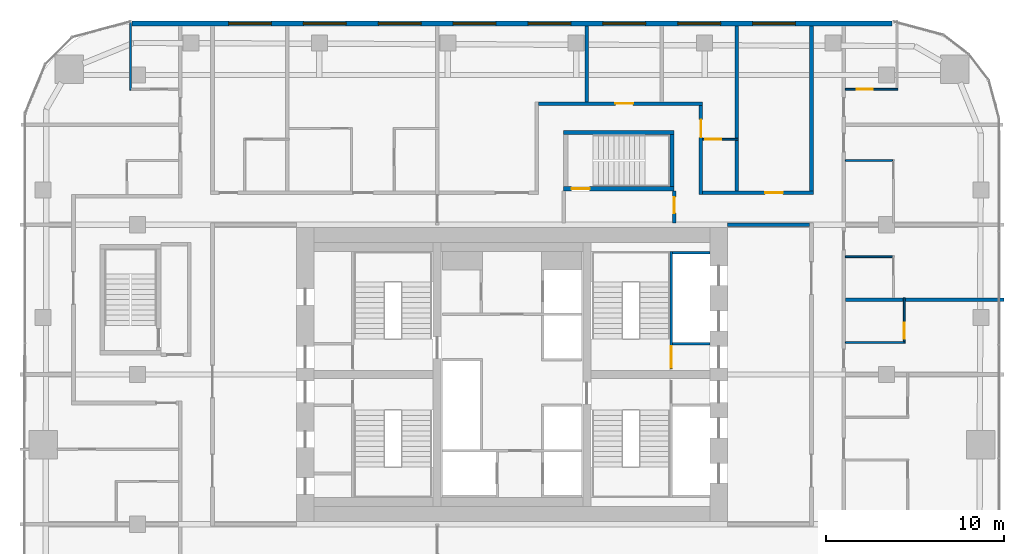
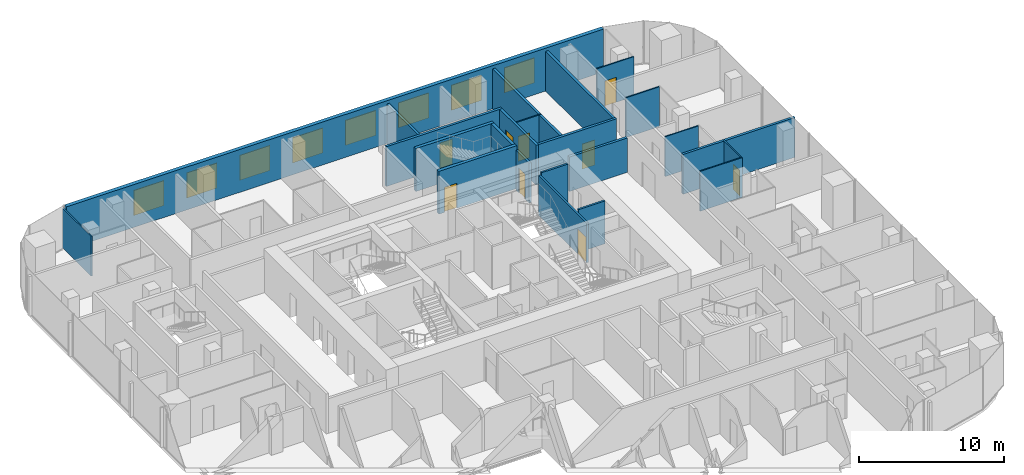
# One storey, part 20 of 23: 23 walls, 9 doors, 8 windows, 17 openings.
"""IFC4 building model written with IfcOpenShell, lengths in metres."""

from ifc_helpers import new_model, si_unit, direction, frame, frame_2d, origin, place, context, subcontext, project, spatial, rectangle, extrude, material, layer, layer_set, type_object, element, fill, save


model = new_model("IFC4")

# Units and contexts
model_context = context("Model", 3, precision=1e-05, world=origin(), true_north=direction((0.0, 1.0)))
body_context = subcontext(model_context, "Body", "Model", "MODEL_VIEW")
ifc_project = project(units=[si_unit("LENGTHUNIT", "METRE"), si_unit("AREAUNIT", "SQUARE_METRE"), si_unit("VOLUMEUNIT", "CUBIC_METRE"), si_unit("PLANEANGLEUNIT", "RADIAN"), si_unit("MASSUNIT", "GRAM", prefix="KILO")], contexts=[model_context])

# Site, building, storey
site_placement = place(None, origin())
site = spatial("IfcSite", under=ifc_project, at=site_placement, CompositionType="ELEMENT")
building_placement = place(site_placement, origin())
building = spatial("IfcBuilding", under=site, at=building_placement, Name="Marenta Gate Hotel Tower", CompositionType="ELEMENT")
storey_placement = place(building_placement, frame((0.0, 0.0, 126.5)))
storey = spatial("IfcBuildingStorey", under=building, at=storey_placement, Name="L28", CompositionType="ELEMENT", Elevation=126.5)

# Wall, openings, windows
ifc_material_1 = material(Name="Concrete C40 board-marked", Category="concrete")
ifc_layer_1 = layer(ifc_material_1, 0.300048828125)
ifc_layer_set_1 = layer_set([ifc_layer_1], Name="Concrete C40 board-marked")
wall_type_1 = type_object("IfcWallType", Name="Board-marked concrete wall 300 mm", PredefinedType="NOTDEFINED", material=ifc_layer_set_1)
wall_1_placement = place(storey_placement, frame((21.305908203125, 28.090087890625, 0.0), z_axis=(0.0, 0.0, 1.0), x_axis=(-1.0, 0.0, 0.0)))
wall_1 = element("IfcWall", 1, at=wall_1_placement, inside=storey, type_object=wall_type_1, Name="L28-CLD-N00", PredefinedType="NOTDEFINED", context=body_context, shape_type="SweptSolid", body=[
    extrude(rectangle(XDim=42.61181640625, YDim=0.300048828125, at=frame_2d((21.305908203125, 0.0))), origin(), (0.0, 0.0, 1.0), 3.60009765625),
])
opening_1_placement = place(wall_1_placement, frame((5.406005859375, 0.0, 0.89990234375)))
opening_1 = element("IfcOpeningElement", 2, at=opening_1_placement, cuts=wall_1, Name="Opening W1", PredefinedType="OPENING", context=body_context, shape_type="SweptSolid", body=[
    extrude(rectangle(XDim=2.39990234375, YDim=2.10009765625, at=frame_2d((1.199951171875, 1.050048828125))), frame((0.0, 0.14990234375, 0.0), z_axis=(0.0, -1.0, 0.0), x_axis=(1.0, 0.0, 0.0)), (0.0, 0.0, 1.0), 0.300048828125),
])
opening_2_placement = place(wall_1_placement, frame((9.60595703125, 0.0, 0.89990234375)))
opening_2 = element("IfcOpeningElement", 3, at=opening_2_placement, cuts=wall_1, Name="Opening W1", PredefinedType="OPENING", context=body_context, shape_type="SweptSolid", body=[
    extrude(rectangle(XDim=2.39990234375, YDim=2.10009765625, at=frame_2d((1.199951171875, 1.050048828125))), frame((0.0, 0.14990234375, 0.0), z_axis=(0.0, -1.0, 0.0), x_axis=(1.0, 0.0, 0.0)), (0.0, 0.0, 1.0), 0.300048828125),
])
opening_3_placement = place(wall_1_placement, frame((13.805908203125, 0.0, 0.89990234375)))
opening_3 = element("IfcOpeningElement", 4, at=opening_3_placement, cuts=wall_1, Name="Opening W1", PredefinedType="OPENING", context=body_context, shape_type="SweptSolid", body=[
    extrude(rectangle(XDim=2.39990234375, YDim=2.10009765625, at=frame_2d((1.199951171875, 1.050048828125))), frame((0.0, 0.14990234375, 0.0), z_axis=(0.0, -1.0, 0.0), x_axis=(1.0, 0.0, 0.0)), (0.0, 0.0, 1.0), 0.300048828125),
])
opening_4_placement = place(wall_1_placement, frame((18.005859375, 0.0, 0.89990234375)))
opening_4 = element("IfcOpeningElement", 5, at=opening_4_placement, cuts=wall_1, Name="Opening W1", PredefinedType="OPENING", context=body_context, shape_type="SweptSolid", body=[
    extrude(rectangle(XDim=2.39990234375, YDim=2.10009765625, at=frame_2d((1.199951171875, 1.050048828125))), frame((0.0, 0.14990234375, 0.0), z_axis=(0.0, -1.0, 0.0), x_axis=(1.0, 0.0, 0.0)), (0.0, 0.0, 1.0), 0.300048828125),
])
opening_5_placement = place(wall_1_placement, frame((22.205810546875, 0.0, 0.89990234375)))
opening_5 = element("IfcOpeningElement", 6, at=opening_5_placement, cuts=wall_1, Name="Opening W1", PredefinedType="OPENING", context=body_context, shape_type="SweptSolid", body=[
    extrude(rectangle(XDim=2.39990234375, YDim=2.10009765625, at=frame_2d((1.199951171875, 1.050048828125))), frame((0.0, 0.14990234375, 0.0), z_axis=(0.0, -1.0, 0.0), x_axis=(1.0, 0.0, 0.0)), (0.0, 0.0, 1.0), 0.300048828125),
])
opening_6_placement = place(wall_1_placement, frame((26.406005859375, 0.0, 0.89990234375)))
opening_6 = element("IfcOpeningElement", 7, at=opening_6_placement, cuts=wall_1, Name="Opening W1", PredefinedType="OPENING", context=body_context, shape_type="SweptSolid", body=[
    extrude(rectangle(XDim=2.39990234375, YDim=2.10009765625, at=frame_2d((1.199951171875, 1.050048828125))), frame((0.0, 0.14990234375, 0.0), z_axis=(0.0, -1.0, 0.0), x_axis=(1.0, 0.0, 0.0)), (0.0, 0.0, 1.0), 0.300048828125),
])
opening_7_placement = place(wall_1_placement, frame((30.60595703125, 0.0, 0.89990234375)))
opening_7 = element("IfcOpeningElement", 8, at=opening_7_placement, cuts=wall_1, Name="Opening W1", PredefinedType="OPENING", context=body_context, shape_type="SweptSolid", body=[
    extrude(rectangle(XDim=2.39990234375, YDim=2.10009765625, at=frame_2d((1.199951171875, 1.050048828125))), frame((0.0, 0.14990234375, 0.0), z_axis=(0.0, -1.0, 0.0), x_axis=(1.0, 0.0, 0.0)), (0.0, 0.0, 1.0), 0.300048828125),
])
opening_8_placement = place(wall_1_placement, frame((34.805908203125, 0.0, 0.89990234375)))
opening_8 = element("IfcOpeningElement", 9, at=opening_8_placement, cuts=wall_1, Name="Opening W1", PredefinedType="OPENING", context=body_context, shape_type="SweptSolid", body=[
    extrude(rectangle(XDim=2.39990234375, YDim=2.10009765625, at=frame_2d((1.199951171875, 1.050048828125))), frame((0.0, 0.14990234375, 0.0), z_axis=(0.0, -1.0, 0.0), x_axis=(1.0, 0.0, 0.0)), (0.0, 0.0, 1.0), 0.300048828125),
])
ifc_material_2 = material(Name="Tinted insulated glass in bronze anodised frame", Category="glass")
window_type = type_object("IfcWindowType", Name="Window W1 2400x2100 bronze frame", PartitioningType="SINGLE_PANEL", PredefinedType="WINDOW", material=ifc_material_2)
window_1_placement = place(opening_1_placement, origin())
window_1 = element("IfcWindow", 10, at=window_1_placement, inside=storey, type_object=window_type, Name="Window W1", OverallHeight=2.10009765625, OverallWidth=2.39990234375, PartitioningType="SINGLE_PANEL", PredefinedType="WINDOW", context=body_context, shape_type="SweptSolid", body=[
    extrude(rectangle(XDim=2.39990234375, YDim=2.10009765625, at=frame_2d((1.199951171875, 1.050048828125))), frame((0.0, 0.030029296875, 0.0), z_axis=(0.0, -1.0, 0.0), x_axis=(1.0, 0.0, 0.0)), (0.0, 0.0, 1.0), 0.06005859375),
])
fill(opening_1, window_1)
window_2_placement = place(opening_2_placement, origin())
window_2 = element("IfcWindow", 11, at=window_2_placement, inside=storey, type_object=window_type, Name="Window W1", OverallHeight=2.10009765625, OverallWidth=2.39990234375, PartitioningType="SINGLE_PANEL", PredefinedType="WINDOW", context=body_context, shape_type="SweptSolid", body=[
    extrude(rectangle(XDim=2.39990234375, YDim=2.10009765625, at=frame_2d((1.199951171875, 1.050048828125))), frame((0.0, 0.030029296875, 0.0), z_axis=(0.0, -1.0, 0.0), x_axis=(1.0, 0.0, 0.0)), (0.0, 0.0, 1.0), 0.06005859375),
])
fill(opening_2, window_2)
window_3_placement = place(opening_3_placement, origin())
window_3 = element("IfcWindow", 12, at=window_3_placement, inside=storey, type_object=window_type, Name="Window W1", OverallHeight=2.10009765625, OverallWidth=2.39990234375, PartitioningType="SINGLE_PANEL", PredefinedType="WINDOW", context=body_context, shape_type="SweptSolid", body=[
    extrude(rectangle(XDim=2.39990234375, YDim=2.10009765625, at=frame_2d((1.199951171875, 1.050048828125))), frame((0.0, 0.030029296875, 0.0), z_axis=(0.0, -1.0, 0.0), x_axis=(1.0, 0.0, 0.0)), (0.0, 0.0, 1.0), 0.06005859375),
])
fill(opening_3, window_3)
window_4_placement = place(opening_4_placement, origin())
window_4 = element("IfcWindow", 13, at=window_4_placement, inside=storey, type_object=window_type, Name="Window W1", OverallHeight=2.10009765625, OverallWidth=2.39990234375, PartitioningType="SINGLE_PANEL", PredefinedType="WINDOW", context=body_context, shape_type="SweptSolid", body=[
    extrude(rectangle(XDim=2.39990234375, YDim=2.10009765625, at=frame_2d((1.199951171875, 1.050048828125))), frame((0.0, 0.030029296875, 0.0), z_axis=(0.0, -1.0, 0.0), x_axis=(1.0, 0.0, 0.0)), (0.0, 0.0, 1.0), 0.06005859375),
])
fill(opening_4, window_4)
window_5_placement = place(opening_5_placement, origin())
window_5 = element("IfcWindow", 14, at=window_5_placement, inside=storey, type_object=window_type, Name="Window W1", OverallHeight=2.10009765625, OverallWidth=2.39990234375, PartitioningType="SINGLE_PANEL", PredefinedType="WINDOW", context=body_context, shape_type="SweptSolid", body=[
    extrude(rectangle(XDim=2.39990234375, YDim=2.10009765625, at=frame_2d((1.199951171875, 1.050048828125))), frame((0.0, 0.030029296875, 0.0), z_axis=(0.0, -1.0, 0.0), x_axis=(1.0, 0.0, 0.0)), (0.0, 0.0, 1.0), 0.06005859375),
])
fill(opening_5, window_5)
window_6_placement = place(opening_6_placement, origin())
window_6 = element("IfcWindow", 15, at=window_6_placement, inside=storey, type_object=window_type, Name="Window W1", OverallHeight=2.10009765625, OverallWidth=2.39990234375, PartitioningType="SINGLE_PANEL", PredefinedType="WINDOW", context=body_context, shape_type="SweptSolid", body=[
    extrude(rectangle(XDim=2.39990234375, YDim=2.10009765625, at=frame_2d((1.199951171875, 1.050048828125))), frame((0.0, 0.030029296875, 0.0), z_axis=(0.0, -1.0, 0.0), x_axis=(1.0, 0.0, 0.0)), (0.0, 0.0, 1.0), 0.06005859375),
])
fill(opening_6, window_6)
window_7_placement = place(opening_7_placement, origin())
window_7 = element("IfcWindow", 16, at=window_7_placement, inside=storey, type_object=window_type, Name="Window W1", OverallHeight=2.10009765625, OverallWidth=2.39990234375, PartitioningType="SINGLE_PANEL", PredefinedType="WINDOW", context=body_context, shape_type="SweptSolid", body=[
    extrude(rectangle(XDim=2.39990234375, YDim=2.10009765625, at=frame_2d((1.199951171875, 1.050048828125))), frame((0.0, 0.030029296875, 0.0), z_axis=(0.0, -1.0, 0.0), x_axis=(1.0, 0.0, 0.0)), (0.0, 0.0, 1.0), 0.06005859375),
])
fill(opening_7, window_7)
window_8_placement = place(opening_8_placement, origin())
window_8 = element("IfcWindow", 17, at=window_8_placement, inside=storey, type_object=window_type, Name="Window W1", OverallHeight=2.10009765625, OverallWidth=2.39990234375, PartitioningType="SINGLE_PANEL", PredefinedType="WINDOW", context=body_context, shape_type="SweptSolid", body=[
    extrude(rectangle(XDim=2.39990234375, YDim=2.10009765625, at=frame_2d((1.199951171875, 1.050048828125))), frame((0.0, 0.030029296875, 0.0), z_axis=(0.0, -1.0, 0.0), x_axis=(1.0, 0.0, 0.0)), (0.0, 0.0, 1.0), 0.06005859375),
])
fill(opening_8, window_8)

# Walls
ifc_material_3 = material(Name="Concrete blockwork", Category="masonry")
ifc_layer_2 = layer(ifc_material_3, 0.199951171875)
ifc_layer_set_2 = layer_set([ifc_layer_2], Name="Concrete blockwork")
wall_type_2 = type_object("IfcWallType", Name="Core boundary wall 200 REI 180", PredefinedType="PARTITIONING", material=ifc_layer_set_2)
wall_2_placement = place(storey_placement, frame((12.10009765625, 16.800048828125, 0.0), z_axis=(0.0, 0.0, 1.0), x_axis=(1.0, 0.0, 0.0)))
element("IfcWall", 18, at=wall_2_placement, inside=storey, type_object=wall_type_2, Name="L28-CP-EW-EN", PredefinedType="PARTITIONING", context=body_context, shape_type="SweptSolid", body=[
    extrude(rectangle(XDim=4.599853515625, YDim=0.199951171875, at=frame_2d((2.2998046875, 0.0))), origin(), (0.0, 0.0, 1.0), 2.889892578125),
])
ifc_material_4 = material(Name="Concrete C40", Category="concrete")
ifc_layer_3 = layer(ifc_material_4, 0.14990234375)
ifc_layer_set_3 = layer_set([ifc_layer_3], Name="Concrete C40")
wall_type_3 = type_object("IfcWallType", Name="Core shaft wall 150 REI 180", PredefinedType="SHEAR", material=ifc_layer_set_3)
for number, where, z_axis, x_axis, name in (
    (19, (9.0, 10.125, 0.0), (0.0, 0.0, 1.0), (1.0, 0.0, 0.0), "L28-SHF-SW-EN-2"),
    (20, (9.0, 15.22509765625, 0.0), (0.0, 0.0, 1.0), (1.0, 0.0, 0.0), "L28-SHF-SW-EN-5"),
):
    element("IfcWall", number, at=place(storey_placement, frame(where, z_axis=z_axis, x_axis=x_axis)), inside=storey, type_object=wall_type_3, Name=name, PredefinedType="SHEAR", context=body_context, shape_type="SweptSolid", body=[
        extrude(rectangle(XDim=2.10009765625, YDim=0.14990234375, at=frame_2d((1.050048828125, 0.0))), origin(), (0.0, 0.0, 1.0), 3.60009765625),
    ])

# Wall, opening, door
ifc_material_5 = material(Name="Concrete C40", Category="concrete")
ifc_layer_4 = layer(ifc_material_5, 0.14990234375)
ifc_layer_set_4 = layer_set([ifc_layer_4], Name="Concrete C40")
wall_type_4 = type_object("IfcWallType", Name="Core stair enclosure wall 150 REI 180", PredefinedType="SHEAR", material=ifc_layer_set_4)
wall_3_placement = place(storey_placement, frame((8.925048828125, 8.699951171875, 0.0), z_axis=(0.0, 0.0, 1.0), x_axis=(0.0, 1.0, 0.0)))
wall_3 = element("IfcWall", 21, at=wall_3_placement, inside=storey, type_object=wall_type_4, Name="L28-SHF-SW-EN-3", PredefinedType="SHEAR", context=body_context, shape_type="SweptSolid", body=[
    extrude(rectangle(XDim=6.60009765625, YDim=0.14990234375, at=frame_2d((3.300048828125, 0.0))), origin(), (0.0, 0.0, 1.0), 3.340087890625),
])
opening_9_placement = place(wall_3_placement, frame((0.074951171875, 0.0, 0.0)))
opening_9 = element("IfcOpeningElement", 22, at=opening_9_placement, cuts=wall_3, Name="Opening SD-EN", PredefinedType="OPENING", context=body_context, shape_type="SweptSolid", body=[
    extrude(rectangle(XDim=1.199951171875, YDim=2.10009765625, at=frame_2d((0.60009765625, 1.050048828125))), frame((0.0, 0.074951171875, 0.0), z_axis=(0.0, -1.0, 0.0), x_axis=(1.0, 0.0, 0.0)), (0.0, 0.0, 1.0), 0.14990234375),
])
ifc_material_6 = material(Name="Steel", Category="steel")
door_type_1 = type_object("IfcDoorType", Name="Core stair door 1200x2100 FD60", OperationType="SINGLE_SWING_LEFT", PredefinedType="DOOR", material=ifc_material_6)
door_1_placement = place(opening_9_placement, origin())
door_1 = element("IfcDoor", 23, at=door_1_placement, inside=storey, type_object=door_type_1, Name="SD-EN", OperationType="SINGLE_SWING_LEFT", OverallHeight=2.10009765625, OverallWidth=1.199951171875, PredefinedType="DOOR", context=body_context, shape_type="SweptSolid", body=[
    extrude(rectangle(XDim=1.199951171875, YDim=2.10009765625, at=frame_2d((0.60009765625, 1.050048828125))), frame((0.0, 0.02490234375, 0.0), z_axis=(0.0, -1.0, 0.0), x_axis=(1.0, 0.0, 0.0)), (0.0, 0.0, 1.0), 0.050048828125),
])
fill(opening_9, door_1)

ifc_material_7 = material(Name="Concrete C40", Category="concrete")
ifc_layer_5 = layer(ifc_material_7, 0.25)
ifc_layer_set_5 = layer_set([ifc_layer_5], Name="Concrete C40")
wall_type_5 = type_object("IfcWallType", Name="Remote stair enclosure wall 250 REI 180", PredefinedType="SHEAR", material=ifc_layer_set_5)
wall_4_placement = place(storey_placement, frame((2.89990234375, 18.824951171875, 0.10009765625), z_axis=(0.0, 0.0, 1.0), x_axis=(1.0, 0.0, 0.0)))
wall_4 = element("IfcWall", 24, at=wall_4_placement, inside=storey, type_object=wall_type_5, Name="L28-RS-Z2-4-W1", PredefinedType="SHEAR", context=body_context, shape_type="SweptSolid", body=[
    extrude(rectangle(XDim=6.2001953125, YDim=0.25, at=frame_2d((3.10009765625, 0.0))), origin(), (0.0, 0.0, 1.0), 3.599853515625),
])
opening_10_placement = place(wall_4_placement, frame((0.449951171875, 0.0, 0.0)))
opening_10 = element("IfcOpeningElement", 25, at=opening_10_placement, cuts=wall_4, Name="Opening VD", PredefinedType="OPENING", context=body_context, shape_type="SweptSolid", body=[
    extrude(rectangle(XDim=1.0, YDim=2.10009765625, at=frame_2d((0.5, 1.050048828125))), frame((0.0, 0.125, 0.0), z_axis=(0.0, -1.0, 0.0), x_axis=(1.0, 0.0, 0.0)), (0.0, 0.0, 1.0), 0.25),
])
ifc_material_8 = material(Name="Steel", Category="steel")
door_type_2 = type_object("IfcDoorType", Name="Stair vestibule door 1000x2100 FD60", OperationType="SINGLE_SWING_LEFT", PredefinedType="DOOR", material=ifc_material_8)
door_2_placement = place(opening_10_placement, origin())
door_2 = element("IfcDoor", 26, at=door_2_placement, inside=storey, type_object=door_type_2, Name="VD", OperationType="SINGLE_SWING_LEFT", OverallHeight=2.10009765625, OverallWidth=1.0, PredefinedType="DOOR", context=body_context, shape_type="SweptSolid", body=[
    extrude(rectangle(XDim=1.0, YDim=2.10009765625, at=frame_2d((0.5, 1.050048828125))), frame((0.0, 0.02490234375, 0.0), z_axis=(0.0, -1.0, 0.0), x_axis=(1.0, 0.0, 0.0)), (0.0, 0.0, 1.0), 0.050048828125),
])
fill(opening_10, door_2)

# Walls
wall_5_placement = place(storey_placement, frame((2.89990234375, 21.97509765625, 0.10009765625), z_axis=(0.0, 0.0, 1.0), x_axis=(1.0, 0.0, 0.0)))
element("IfcWall", 27, at=wall_5_placement, inside=storey, type_object=wall_type_5, Name="L28-RS-Z2-4-W2", PredefinedType="SHEAR", context=body_context, shape_type="SweptSolid", body=[
    extrude(rectangle(XDim=6.2001953125, YDim=0.25, at=frame_2d((3.10009765625, 0.0))), origin(), (0.0, 0.0, 1.0), 3.599853515625),
])
wall_6_placement = place(storey_placement, frame((8.97509765625, 18.949951171875, 0.10009765625), z_axis=(0.0, 0.0, 1.0), x_axis=(0.0, 1.0, 0.0)))
element("IfcWall", 28, at=wall_6_placement, inside=storey, type_object=wall_type_5, Name="L28-RS-Z2-4-W4", PredefinedType="SHEAR", context=body_context, shape_type="SweptSolid", body=[
    extrude(rectangle(XDim=2.900146484375, YDim=0.25, at=frame_2d((1.4501953125, 0.0))), origin(), (0.0, 0.0, 1.0), 3.599853515625),
])

# Wall, opening, door
ifc_material_9 = material(Name="Concrete blockwork", Category="masonry")
ifc_layer_6 = layer(ifc_material_9, 0.199951171875)
ifc_layer_set_6 = layer_set([ifc_layer_6], Name="Concrete blockwork")
wall_type_6 = type_object("IfcWallType", Name="Room corridor wall 200 EI 120", PredefinedType="PARTITIONING", material=ifc_layer_set_6)
wall_7_placement = place(storey_placement, frame((1.5, 23.60009765625, 0.0), z_axis=(0.0, 0.0, 1.0), x_axis=(1.0, 0.0, 0.0)))
wall_7 = element("IfcWall", 29, at=wall_7_placement, inside=storey, type_object=wall_type_6, Name="L28-PTN-W128", PredefinedType="PARTITIONING", context=body_context, shape_type="SweptSolid", body=[
    extrude(rectangle(XDim=9.199951171875, YDim=0.199951171875, at=frame_2d((4.60009765625, 0.0))), origin(), (0.0, 0.0, 1.0), 3.340087890625),
])
opening_11_placement = place(wall_7_placement, frame((4.300048828125, 0.0, 0.0)))
opening_11 = element("IfcOpeningElement", 30, at=opening_11_placement, cuts=wall_7, Name="Opening G10-36", PredefinedType="OPENING", context=body_context, shape_type="SweptSolid", body=[
    extrude(rectangle(XDim=1.0, YDim=2.10009765625, at=frame_2d((0.5, 1.050048828125))), frame((0.0, 0.10009765625, 0.0), z_axis=(0.0, -1.0, 0.0), x_axis=(1.0, 0.0, 0.0)), (0.0, 0.0, 1.0), 0.199951171875),
])
ifc_material_10 = material(Name="Hollow steel door set", Category="steel")
door_type_3 = type_object("IfcDoorType", Name="Room service door 1000x2100 EI 60", OperationType="NOTDEFINED", PredefinedType="DOOR", material=ifc_material_10)
door_3_placement = place(opening_11_placement, origin())
door_3 = element("IfcDoor", 31, at=door_3_placement, inside=storey, type_object=door_type_3, Name="L28-PD-D036", OperationType="SINGLE_SWING_LEFT", OverallHeight=2.10009765625, OverallWidth=1.0, PredefinedType="DOOR", context=body_context, shape_type="SweptSolid", body=[
    extrude(rectangle(XDim=1.0, YDim=2.10009765625, at=frame_2d((0.5, 1.050048828125))), frame((0.0, 0.02490234375, 0.0), z_axis=(0.0, -1.0, 0.0), x_axis=(1.0, 0.0, 0.0)), (0.0, 0.0, 1.0), 0.050048828125),
])
fill(opening_11, door_3)

# Wall
ifc_material_11 = material(Name="Gypsum board on steel stud", Category="steel")
ifc_layer_7 = layer(ifc_material_11, 0.199951171875)
ifc_layer_set_7 = layer_set([ifc_layer_7], Name="Gypsum board on steel stud")
wall_type_7 = type_object("IfcWallType", Name="Room corridor wall 200 EI 60", PredefinedType="PARTITIONING", material=ifc_layer_set_7)
wall_8_placement = place(storey_placement, frame((16.800048828125, 18.699951171875, 0.0), z_axis=(0.0, 0.0, 1.0), x_axis=(0.0, 1.0, 0.0)))
element("IfcWall", 32, at=wall_8_placement, inside=storey, type_object=wall_type_7, Name="L28-PTN-W022", PredefinedType="PARTITIONING", context=body_context, shape_type="SweptSolid", body=[
    extrude(rectangle(XDim=9.239990234375, YDim=0.199951171875, at=frame_2d((4.6201171875, 0.0))), origin(), (0.0, 0.0, 1.0), 3.340087890625),
])

# Wall, opening, door
wall_9_placement = place(storey_placement, frame((10.60009765625, 18.5, 0.0), z_axis=(0.0, 0.0, 1.0), x_axis=(0.0, 1.0, 0.0)))
wall_9 = element("IfcWall", 33, at=wall_9_placement, inside=storey, type_object=wall_type_7, Name="L28-PTN-W042", PredefinedType="PARTITIONING", context=body_context, shape_type="SweptSolid", body=[
    extrude(rectangle(XDim=5.0, YDim=0.199951171875, at=frame_2d((2.5, 0.0))), origin(), (0.0, 0.0, 1.0), 3.340087890625),
])
opening_12_placement = place(wall_9_placement, frame((3.199951171875, 0.0, 0.0)))
opening_12 = element("IfcOpeningElement", 34, at=opening_12_placement, cuts=wall_9, Name="Opening G10-37", PredefinedType="OPENING", context=body_context, shape_type="SweptSolid", body=[
    extrude(rectangle(XDim=1.0, YDim=2.10009765625, at=frame_2d((0.5, 1.050048828125))), frame((0.0, 0.10009765625, 0.0), z_axis=(0.0, -1.0, 0.0), x_axis=(1.0, 0.0, 0.0)), (0.0, 0.0, 1.0), 0.199951171875),
])
ifc_material_12 = material(Name="Timber door leaf", Category="wood")
door_type_4 = type_object("IfcDoorType", Name="Guest room door 1000x2100 EI 30", OperationType="NOTDEFINED", PredefinedType="DOOR", material=ifc_material_12)
door_4_placement = place(opening_12_placement, origin())
door_4 = element("IfcDoor", 35, at=door_4_placement, inside=storey, type_object=door_type_4, Name="L28-PD-D037", OperationType="SINGLE_SWING_LEFT", OverallHeight=2.10009765625, OverallWidth=1.0, PredefinedType="DOOR", context=body_context, shape_type="SweptSolid", body=[
    extrude(rectangle(XDim=1.0, YDim=2.10009765625, at=frame_2d((0.5, 1.050048828125))), frame((0.0, 0.02490234375, 0.0), z_axis=(0.0, -1.0, 0.0), x_axis=(1.0, 0.0, 0.0)), (0.0, 0.0, 1.0), 0.050048828125),
])
fill(opening_12, door_4)

wall_10_placement = place(storey_placement, frame((10.699951171875, 18.60009765625, 0.0), z_axis=(0.0, 0.0, 1.0), x_axis=(1.0, 0.0, 0.0)))
wall_10 = element("IfcWall", 36, at=wall_10_placement, inside=storey, type_object=wall_type_7, Name="L28-PTN-W114", PredefinedType="PARTITIONING", context=body_context, shape_type="SweptSolid", body=[
    extrude(rectangle(XDim=6.199951171875, YDim=0.199951171875, at=frame_2d((3.10009765625, 0.0))), origin(), (0.0, 0.0, 1.0), 3.340087890625),
])
opening_13_placement = place(wall_10_placement, frame((3.5, 0.0, 0.0)))
opening_13 = element("IfcOpeningElement", 37, at=opening_13_placement, cuts=wall_10, Name="Opening G10-39", PredefinedType="OPENING", context=body_context, shape_type="SweptSolid", body=[
    extrude(rectangle(XDim=1.0, YDim=2.10009765625, at=frame_2d((0.5, 1.050048828125))), frame((0.0, 0.10009765625, 0.0), z_axis=(0.0, -1.0, 0.0), x_axis=(1.0, 0.0, 0.0)), (0.0, 0.0, 1.0), 0.199951171875),
])
ifc_material_13 = material(Name="Timber door leaf", Category="wood")
door_type_5 = type_object("IfcDoorType", Name="Room amenity door 1000x2100 EI 30", OperationType="NOTDEFINED", PredefinedType="DOOR", material=ifc_material_13)
door_5_placement = place(opening_13_placement, origin())
door_5 = element("IfcDoor", 38, at=door_5_placement, inside=storey, type_object=door_type_5, Name="L28-PD-D039", OperationType="SINGLE_SWING_RIGHT", OverallHeight=2.10009765625, OverallWidth=1.0, PredefinedType="DOOR", context=body_context, shape_type="SweptSolid", body=[
    extrude(rectangle(XDim=1.0, YDim=2.10009765625, at=frame_2d((0.5, 1.050048828125))), frame((0.0, 0.02490234375, 0.0), z_axis=(0.0, -1.0, 0.0), x_axis=(1.0, 0.0, 0.0)), (0.0, 0.0, 1.0), 0.050048828125),
])
fill(opening_13, door_5)

ifc_material_14 = material(Name="Concrete blockwork", Category="masonry")
ifc_layer_8 = layer(ifc_material_14, 0.199951171875)
ifc_layer_set_8 = layer_set([ifc_layer_8], Name="Concrete blockwork")
wall_type_8 = type_object("IfcWallType", Name="Room corridor wall 200 REI 180", PredefinedType="PARTITIONING", material=ifc_layer_set_8)
wall_11_placement = place(storey_placement, frame((9.10009765625, 16.89990234375, 0.0), z_axis=(0.0, 0.0, 1.0), x_axis=(0.0, 1.0, 0.0)))
wall_11 = element("IfcWall", 39, at=wall_11_placement, inside=storey, type_object=wall_type_8, Name="L28-PTN-W043", PredefinedType="PARTITIONING", context=body_context, shape_type="SweptSolid", body=[
    extrude(rectangle(XDim=1.800048828125, YDim=0.199951171875, at=frame_2d((0.89990234375, 0.0))), origin(), (0.0, 0.0, 1.0), 3.340087890625),
])
opening_14_placement = place(wall_11_placement, frame((0.550048828125, 0.0, 0.0)))
opening_14 = element("IfcOpeningElement", 40, at=opening_14_placement, cuts=wall_11, Name="Opening G10-72", PredefinedType="OPENING", context=body_context, shape_type="SweptSolid", body=[
    extrude(rectangle(XDim=0.89990234375, YDim=2.10009765625, at=frame_2d((0.449951171875, 1.050048828125))), frame((0.0, 0.10009765625, 0.0), z_axis=(0.0, -1.0, 0.0), x_axis=(1.0, 0.0, 0.0)), (0.0, 0.0, 1.0), 0.199951171875),
])
ifc_material_15 = material(Name="Hollow steel door set", Category="steel")
door_type_6 = type_object("IfcDoorType", Name="Stair vestibule door 900x2100 EI 60", OperationType="NOTDEFINED", PredefinedType="DOOR", material=ifc_material_15)
door_6_placement = place(opening_14_placement, origin())
door_6 = element("IfcDoor", 41, at=door_6_placement, inside=storey, type_object=door_type_6, Name="L28-PD-D072", OperationType="SINGLE_SWING_RIGHT", OverallHeight=2.10009765625, OverallWidth=0.89990234375, PredefinedType="DOOR", context=body_context, shape_type="SweptSolid", body=[
    extrude(rectangle(XDim=0.89990234375, YDim=2.10009765625, at=frame_2d((0.449951171875, 1.050048828125))), frame((0.0, 0.02490234375, 0.0), z_axis=(0.0, -1.0, 0.0), x_axis=(1.0, 0.0, 0.0)), (0.0, 0.0, 1.0), 0.050048828125),
])
fill(opening_14, door_6)

ifc_material_16 = material(Name="Gypsum board on steel stud", Category="steel")
ifc_layer_9 = layer(ifc_material_16, 0.10009765625)
ifc_layer_set_9 = layer_set([ifc_layer_9], Name="Gypsum board on steel stud")
wall_type_9 = type_object("IfcWallType", Name="Room partition 100", PredefinedType="PARTITIONING", material=ifc_layer_set_9)
wall_12_placement = place(storey_placement, frame((22.0, 10.25, 0.0), z_axis=(0.0, 0.0, 1.0), x_axis=(0.0, 1.0, 0.0)))
wall_12 = element("IfcWall", 42, at=wall_12_placement, inside=storey, type_object=wall_type_9, Name="L28-PTN-W004", PredefinedType="PARTITIONING", context=body_context, shape_type="SweptSolid", body=[
    extrude(rectangle(XDim=2.449951171875, YDim=0.10009765625, at=frame_2d((1.22509765625, 0.0))), origin(), (0.0, 0.0, 1.0), 3.340087890625),
])
opening_15_placement = place(wall_12_placement, frame((0.14990234375, 0.0, 0.0)))
opening_15 = element("IfcOpeningElement", 43, at=opening_15_placement, cuts=wall_12, Name="Opening G10-23", PredefinedType="OPENING", context=body_context, shape_type="SweptSolid", body=[
    extrude(rectangle(XDim=0.89990234375, YDim=2.10009765625, at=frame_2d((0.449951171875, 1.050048828125))), frame((0.0, 0.050048828125, 0.0), z_axis=(0.0, -1.0, 0.0), x_axis=(1.0, 0.0, 0.0)), (0.0, 0.0, 1.0), 0.10009765625),
])
ifc_material_17 = material(Name="Timber door leaf", Category="wood")
door_type_7 = type_object("IfcDoorType", Name="Guest bathroom door 900x2100", OperationType="NOTDEFINED", PredefinedType="DOOR", material=ifc_material_17)
door_7_placement = place(opening_15_placement, origin())
door_7 = element("IfcDoor", 44, at=door_7_placement, inside=storey, type_object=door_type_7, Name="L28-PD-D023", OperationType="SINGLE_SWING_LEFT", OverallHeight=2.10009765625, OverallWidth=0.89990234375, PredefinedType="DOOR", context=body_context, shape_type="SweptSolid", body=[
    extrude(rectangle(XDim=0.89990234375, YDim=2.10009765625, at=frame_2d((0.449951171875, 1.050048828125))), frame((0.0, 0.02490234375, 0.0), z_axis=(0.0, -1.0, 0.0), x_axis=(1.0, 0.0, 0.0)), (0.0, 0.0, 1.0), 0.050048828125),
])
fill(opening_15, door_7)

# Walls
wall_13_placement = place(storey_placement, frame((18.699951171875, 10.199951171875, 0.0), z_axis=(0.0, 0.0, 1.0), x_axis=(1.0, 0.0, 0.0)))
element("IfcWall", 45, at=wall_13_placement, inside=storey, type_object=wall_type_9, Name="L28-PTN-W094", PredefinedType="PARTITIONING", context=body_context, shape_type="SweptSolid", body=[
    extrude(rectangle(XDim=3.35009765625, YDim=0.10009765625, at=frame_2d((1.675048828125, 0.0))), origin(), (0.0, 0.0, 1.0), 3.340087890625),
])
for number, where, z_axis, x_axis, name in (
    (46, (18.699951171875, 15.0, 0.0), (0.0, 0.0, 1.0), (1.0, 0.0, 0.0), "L28-PTN-W102"),
    (47, (18.699951171875, 20.39990234375, 0.0), (0.0, 0.0, 1.0), (1.0, 0.0, 0.0), "L28-PTN-W116"),
):
    element("IfcWall", number, at=place(storey_placement, frame(where, z_axis=z_axis, x_axis=x_axis)), inside=storey, type_object=wall_type_9, Name=name, PredefinedType="PARTITIONING", context=body_context, shape_type="SweptSolid", body=[
        extrude(rectangle(XDim=2.650146484375, YDim=0.10009765625, at=frame_2d((1.3251953125, 0.0))), origin(), (0.0, 0.0, 1.0), 3.340087890625),
    ])
wall_14_placement = place(storey_placement, frame((-21.39990234375, 24.35009765625, 0.0), z_axis=(0.0, 0.0, 1.0), x_axis=(0.0, 1.0, 0.0)))
element("IfcWall", 48, at=wall_14_placement, inside=storey, type_object=wall_type_9, Name="L28-PTN-W118", PredefinedType="PARTITIONING", context=body_context, shape_type="SweptSolid", body=[
    extrude(rectangle(XDim=3.93701171875, YDim=0.10009765625, at=frame_2d((1.968505859375, 0.0))), origin(), (0.0, 0.0, 1.0), 3.340087890625),
])

# Wall, opening, door
wall_15_placement = place(storey_placement, frame((10.699951171875, 21.60009765625, 0.0), z_axis=(0.0, 0.0, 1.0), x_axis=(1.0, 0.0, 0.0)))
wall_15 = element("IfcWall", 49, at=wall_15_placement, inside=storey, type_object=wall_type_9, Name="L28-PTN-W121", PredefinedType="PARTITIONING", context=body_context, shape_type="SweptSolid", body=[
    extrude(rectangle(XDim=2.0, YDim=0.10009765625, at=frame_2d((1.0, 0.0))), origin(), (0.0, 0.0, 1.0), 3.340087890625),
])
opening_16_placement = place(wall_15_placement, frame((0.14990234375, 0.0, 0.0)))
opening_16 = element("IfcOpeningElement", 50, at=opening_16_placement, cuts=wall_15, Name="Opening G10-38", PredefinedType="OPENING", context=body_context, shape_type="SweptSolid", body=[
    extrude(rectangle(XDim=0.89990234375, YDim=2.10009765625, at=frame_2d((0.449951171875, 1.050048828125))), frame((0.0, 0.050048828125, 0.0), z_axis=(0.0, -1.0, 0.0), x_axis=(1.0, 0.0, 0.0)), (0.0, 0.0, 1.0), 0.10009765625),
])
door_8_placement = place(opening_16_placement, origin())
door_8 = element("IfcDoor", 51, at=door_8_placement, inside=storey, type_object=door_type_7, Name="L28-PD-D038", OperationType="SINGLE_SWING_RIGHT", OverallHeight=2.10009765625, OverallWidth=0.89990234375, PredefinedType="DOOR", context=body_context, shape_type="SweptSolid", body=[
    extrude(rectangle(XDim=0.89990234375, YDim=2.10009765625, at=frame_2d((0.449951171875, 1.050048828125))), frame((0.0, 0.02490234375, 0.0), z_axis=(0.0, -1.0, 0.0), x_axis=(1.0, 0.0, 0.0)), (0.0, 0.0, 1.0), 0.050048828125),
])
fill(opening_16, door_8)

wall_16_placement = place(storey_placement, frame((18.699951171875, 24.39990234375, 0.0), z_axis=(0.0, 0.0, 1.0), x_axis=(1.0, 0.0, 0.0)))
wall_16 = element("IfcWall", 52, at=wall_16_placement, inside=storey, type_object=wall_type_9, Name="L28-PTN-W130", PredefinedType="PARTITIONING", context=body_context, shape_type="SweptSolid", body=[
    extrude(rectangle(XDim=2.949951171875, YDim=0.10009765625, at=frame_2d((1.47509765625, 0.0))), origin(), (0.0, 0.0, 1.0), 3.340087890625),
])
opening_17_placement = place(wall_16_placement, frame((0.64990234375, 0.0, 0.0)))
opening_17 = element("IfcOpeningElement", 53, at=opening_17_placement, cuts=wall_16, Name="Opening G10-29", PredefinedType="OPENING", context=body_context, shape_type="SweptSolid", body=[
    extrude(rectangle(XDim=0.89990234375, YDim=2.10009765625, at=frame_2d((0.449951171875, 1.050048828125))), frame((0.0, 0.050048828125, 0.0), z_axis=(0.0, -1.0, 0.0), x_axis=(1.0, 0.0, 0.0)), (0.0, 0.0, 1.0), 0.10009765625),
])
door_9_placement = place(opening_17_placement, origin())
door_9 = element("IfcDoor", 54, at=door_9_placement, inside=storey, type_object=door_type_7, Name="L28-PD-D029", OperationType="SINGLE_SWING_RIGHT", OverallHeight=2.10009765625, OverallWidth=0.89990234375, PredefinedType="DOOR", context=body_context, shape_type="SweptSolid", body=[
    extrude(rectangle(XDim=0.89990234375, YDim=2.10009765625, at=frame_2d((0.449951171875, 1.050048828125))), frame((0.0, 0.02490234375, 0.0), z_axis=(0.0, -1.0, 0.0), x_axis=(1.0, 0.0, 0.0)), (0.0, 0.0, 1.0), 0.050048828125),
])
fill(opening_17, door_9)

# Walls
ifc_material_18 = material(Name="Concrete blockwork", Category="masonry")
ifc_layer_10 = layer(ifc_material_18, 0.199951171875)
ifc_layer_set_10 = layer_set([ifc_layer_10], Name="Concrete blockwork")
wall_type_10 = type_object("IfcWallType", Name="Room party wall 200 EI 120", PredefinedType="PARTITIONING", material=ifc_layer_set_10)
wall_17_placement = place(storey_placement, frame((4.199951171875, 23.699951171875, 0.0), z_axis=(0.0, 0.0, 1.0), x_axis=(0.0, 1.0, 0.0)))
element("IfcWall", 55, at=wall_17_placement, inside=storey, type_object=wall_type_10, Name="L28-PTN-W063", PredefinedType="PARTITIONING", context=body_context, shape_type="SweptSolid", body=[
    extrude(rectangle(XDim=4.239990234375, YDim=0.199951171875, at=frame_2d((2.1201171875, 0.0))), origin(), (0.0, 0.0, 1.0), 3.340087890625),
])
ifc_material_19 = material(Name="Gypsum board on steel stud", Category="steel")
ifc_layer_11 = layer(ifc_material_19, 0.199951171875)
ifc_layer_set_11 = layer_set([ifc_layer_11], Name="Gypsum board on steel stud")
wall_type_11 = type_object("IfcWallType", Name="Room party wall 200 EI 60", PredefinedType="PARTITIONING", material=ifc_layer_set_11)
wall_18_placement = place(storey_placement, frame((12.60009765625, 18.699951171875, 0.0), z_axis=(0.0, 0.0, 1.0), x_axis=(0.0, 1.0, 0.0)))
element("IfcWall", 56, at=wall_18_placement, inside=storey, type_object=wall_type_11, Name="L28-PTN-W036", PredefinedType="PARTITIONING", context=body_context, shape_type="SweptSolid", body=[
    extrude(rectangle(XDim=9.239990234375, YDim=0.199951171875, at=frame_2d((4.6201171875, 0.0))), origin(), (0.0, 0.0, 1.0), 3.340087890625),
])
wall_19_placement = place(storey_placement, frame((18.699951171875, 12.60009765625, 0.0), z_axis=(0.0, 0.0, 1.0), x_axis=(1.0, 0.0, 0.0)))
element("IfcWall", 57, at=wall_19_placement, inside=storey, type_object=wall_type_11, Name="L28-PTN-W099", PredefinedType="PARTITIONING", context=body_context, shape_type="SweptSolid", body=[
    extrude(rectangle(XDim=8.900146484375, YDim=0.199951171875, at=frame_2d((4.4501953125, 0.0))), origin(), (0.0, 0.0, 1.0), 3.340087890625),
])

save(model, "model.ifc")
